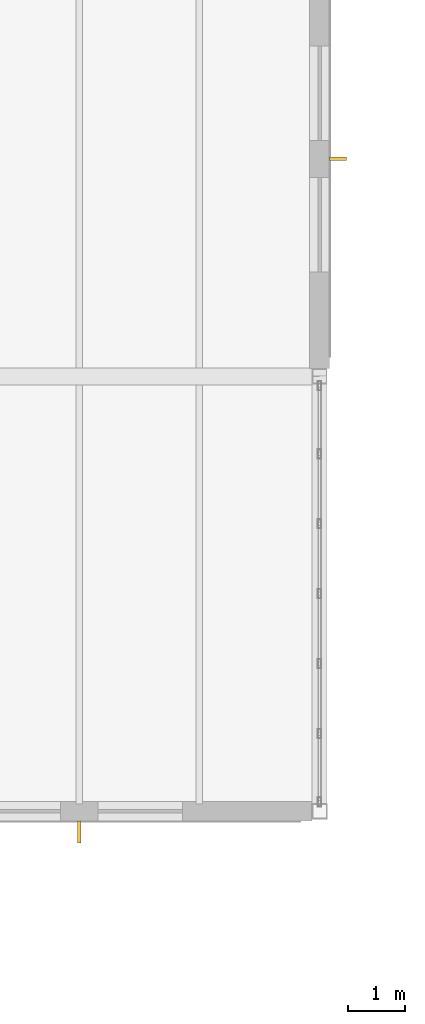
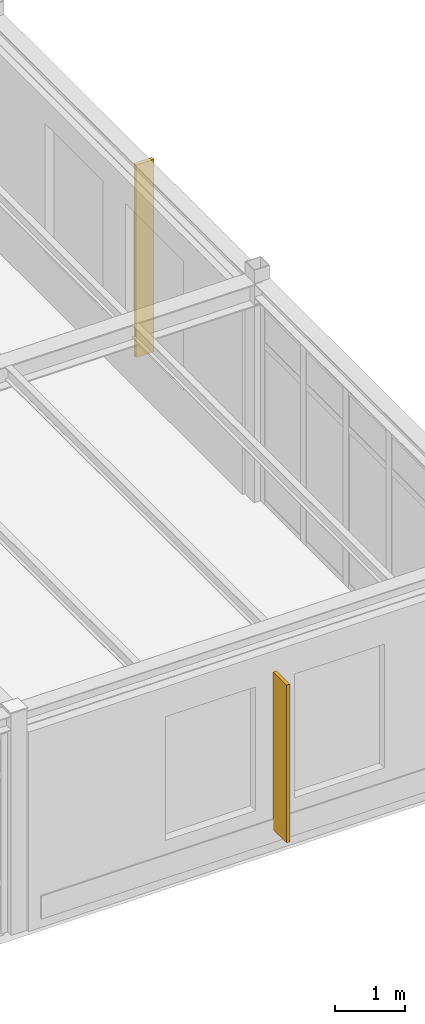
# One storey, part 184 of 189: 2 shading devices.
"""IFC4 building model written with IfcOpenShell, lengths in metres."""

from ifc_helpers import new_model, si_unit, direction, frame, origin, origin_2d, place, context, subcontext, project, spatial, rectangle, extrude, material, type_object, element, save


model = new_model("IFC4")

# Units and contexts
model_context = context("Model", 3, precision=1e-05, world=origin(), true_north=direction((0.0, 1.0)))
body_context = subcontext(model_context, "Body", "Model", "MODEL_VIEW")
ifc_project = project(units=[si_unit("LENGTHUNIT", "METRE"), si_unit("AREAUNIT", "SQUARE_METRE"), si_unit("VOLUMEUNIT", "CUBIC_METRE"), si_unit("PLANEANGLEUNIT", "RADIAN"), si_unit("MASSUNIT", "GRAM", prefix="KILO")], contexts=[model_context])

# Site, building, storey
site_placement = place(None, origin())
site = spatial("IfcSite", under=ifc_project, at=site_placement, CompositionType="ELEMENT")
building_placement = place(site_placement, origin())
building = spatial("IfcBuilding", under=site, at=building_placement, Name="Montecoro Central Library", CompositionType="ELEMENT")
storey_placement = place(building_placement, frame((0.0, 0.0, 9.179931640625)))
storey = spatial("IfcBuildingStorey", under=building, at=storey_placement, Name="L02", CompositionType="ELEMENT", Elevation=9.179931640625)

# Shading devices
ifc_material = material(Name="Architectural bronze solar fin", Category="aluminium")
shading_device_type_1 = type_object("IfcShadingDeviceType", Name="SHD-FIN-07", PredefinedType="USERDEFINED", material=ifc_material)
shading_device_1_placement = place(storey_placement, frame((117.12060546875, 92.39990234375, 0.06005859375), z_axis=(0.0, 0.0, 1.0), x_axis=(0.0, 1.0, 0.0)))
element("IfcShadingDevice", 1, at=shading_device_1_placement, inside=storey, type_object=shading_device_type_1, Name="V2-L02-FIN-E1", ObjectType="SOLAR FIN", PredefinedType="USERDEFINED", context=body_context, shape_type="SweptSolid", body=[
    extrude(rectangle(XDim=0.06005859375, YDim=0.300048828125, at=origin_2d()), origin(), (0.0, 0.0, 1.0), 3.360107421875),
])
shading_device_type_2 = type_object("IfcShadingDeviceType", Name="SHD-FIN-11", PredefinedType="USERDEFINED", material=ifc_material)
shading_device_2_placement = place(storey_placement, frame((112.60009765625, 80.639404296875, 0.364990234375), z_axis=(0.0, 0.0, 1.0), x_axis=(1.0, 0.0, 0.0)))
element("IfcShadingDevice", 2, at=shading_device_2_placement, inside=storey, type_object=shading_device_type_2, Name="V2-L02-FIN-S5", ObjectType="SOLAR FIN", PredefinedType="USERDEFINED", context=body_context, shape_type="SweptSolid", body=[
    extrude(rectangle(XDim=0.06005859375, YDim=0.3798828125, at=origin_2d()), origin(), (0.0, 0.0, 1.0), 2.75),
])

save(model, "model.ifc")
